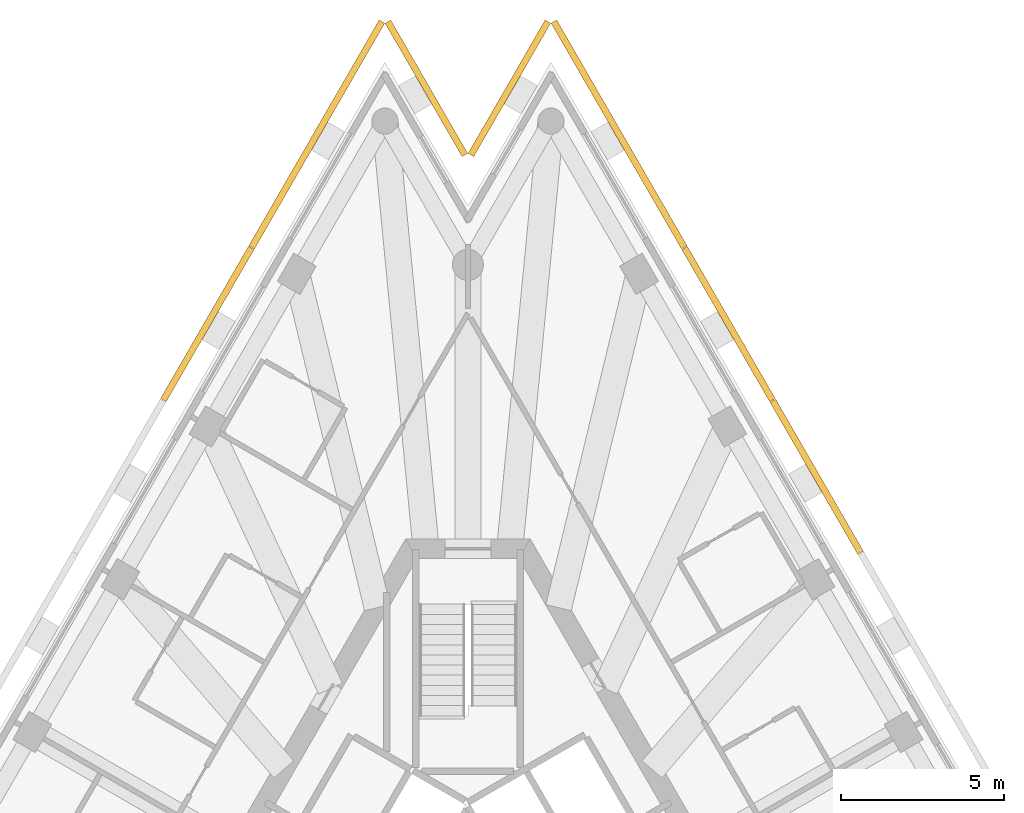
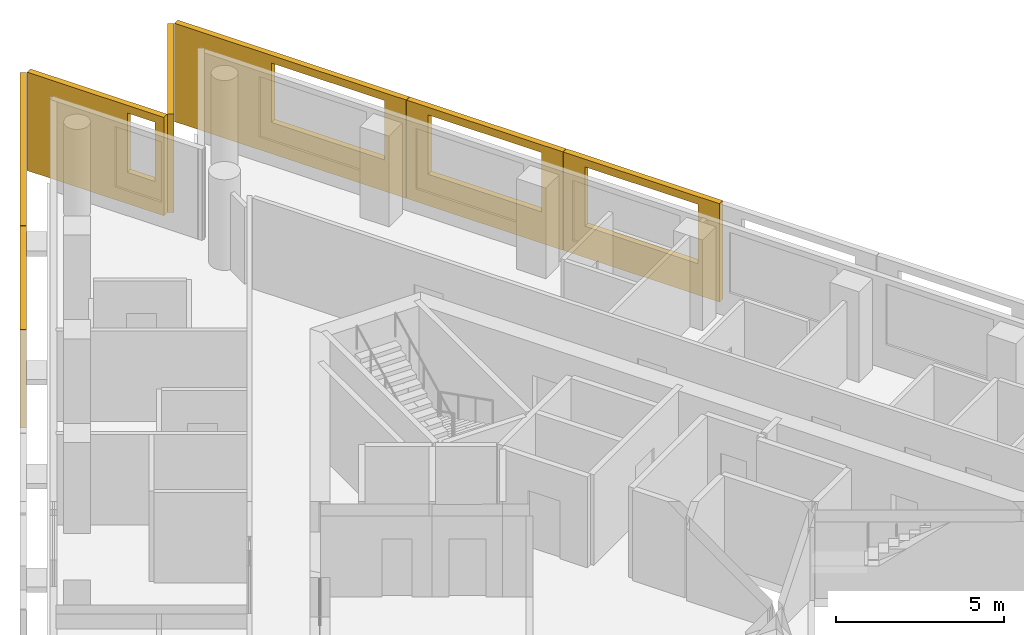
# One storey, part 10 of 10: 7 shading devices.
"""IFC4 building model written with IfcOpenShell, lengths in metres."""

from ifc_helpers import new_model, si_unit, direction, frame, origin, place, context, subcontext, project, spatial, polyline, outline, extrude, material, layer, layer_set, type_object, element, save


model = new_model("IFC4")

# Units and contexts
model_context = context("Model", 3, precision=1e-05, world=origin(), true_north=direction((0.0, 1.0)))
body_context = subcontext(model_context, "Body", "Model", "MODEL_VIEW")
ifc_project = project(units=[si_unit("LENGTHUNIT", "METRE"), si_unit("AREAUNIT", "SQUARE_METRE"), si_unit("VOLUMEUNIT", "CUBIC_METRE"), si_unit("PLANEANGLEUNIT", "RADIAN"), si_unit("MASSUNIT", "GRAM", prefix="KILO")], contexts=[model_context])

# Site, building, storey
site_placement = place(None, origin())
site = spatial("IfcSite", under=ifc_project, at=site_placement, CompositionType="ELEMENT")
building_placement = place(site_placement, origin())
building = spatial("IfcBuilding", under=site, at=building_placement, Name="Triada Interchange Tower", CompositionType="ELEMENT")
storey_placement = place(building_placement, frame((0.0, 0.0, 297.10009765625)))
storey = spatial("IfcBuildingStorey", under=building, at=storey_placement, Name="L70", CompositionType="ELEMENT", Elevation=297.10009765625)

# Shading devices
ifc_material = material(Name="Concrete C50/60 precast", Category="concrete")
ifc_layer_1 = layer(ifc_material, 0.02001953125, Name="Exposed aggregate face")
ifc_layer_2 = layer(ifc_material, 0.179931640625, Name="Precast concrete screen")
ifc_layer_set = layer_set([ifc_layer_1, ifc_layer_2], Name="Outer skin screen panel 3580")
shading_device_type = type_object("IfcShadingDeviceType", Name="Outer skin screen panel 3580", PredefinedType="SHUTTER", material=ifc_layer_set)
shading_device_1_placement = place(storey_placement, frame((-2.5439453125, 29.373046875, -0.2900390625), z_axis=(0.0, 0.0, 1.0), x_axis=(-0.50000256641, -0.866023922062, 0.0)))
element("IfcShadingDevice", 1, at=shading_device_1_placement, inside=storey, type_object=shading_device_type, Name="Outer skin screen panel L70 01", PredefinedType="SHUTTER", context=body_context, shape_type="SweptSolid", body=[
    extrude(outline(polyline([(0.0, 0.0), (7.97216796875, 0.0), (7.97216796875, 3.579833984375), (0.0, 3.579833984375), (0.0, 0.0)]), holes=[polyline([(3.335693359375, 1.139892578125), (3.335693359375, 3.300048828125), (7.235595703125, 3.300048828125), (7.235595703125, 1.139892578125), (3.335693359375, 1.139892578125)])]), frame((0.0, 0.0, 0.0), z_axis=(0.0, -1.0, 0.0), x_axis=(1.0, 0.0, 0.0)), (0.0, 0.0, 1.0), 0.199951171875),
])
shading_device_2_placement = place(storey_placement, frame((-6.5400390625, 22.451904296875, -0.2900390625), z_axis=(0.0, 0.0, 1.0), x_axis=(-0.500076296064, -0.86598134975, 0.0)))
element("IfcShadingDevice", 2, at=shading_device_2_placement, inside=storey, type_object=shading_device_type, Name="Outer skin screen panel L70 02", PredefinedType="SHUTTER", context=body_context, shape_type="SweptSolid", body=[
    extrude(outline(polyline([(0.0, 0.0), (5.375244140625, 0.0), (5.375244140625, 3.579833984375), (0.0, 3.579833984375), (0.0, 0.0)]), holes=[polyline([(0.737060546875, 1.139892578125), (0.737060546875, 3.300048828125), (4.636962890625, 3.300048828125), (4.636962890625, 1.139892578125), (0.737060546875, 1.139892578125)])]), frame((0.0, 0.0, 0.0), z_axis=(0.0, -1.0, 0.0), x_axis=(1.0, 0.0, 0.0)), (0.0, 0.0, 1.0), 0.199951171875),
])
shading_device_3_placement = place(storey_placement, frame((11.925048828125, 13.125, -0.2900390625), z_axis=(0.0, 0.0, 1.0), x_axis=(-0.499920363698, 0.866071376943, 0.0)))
element("IfcShadingDevice", 3, at=shading_device_3_placement, inside=storey, type_object=shading_device_type, Name="Outer skin screen panel L70 26", PredefinedType="SHUTTER", context=body_context, shape_type="SweptSolid", body=[
    extrude(outline(polyline([(0.0, 0.0), (5.375, 0.0), (5.375, 3.579833984375), (0.0, 3.579833984375), (0.0, 0.0)]), holes=[polyline([(0.73681640625, 1.139892578125), (0.73681640625, 3.300048828125), (4.63671875, 3.300048828125), (4.63671875, 1.139892578125), (0.73681640625, 1.139892578125)])]), frame((0.0, 0.0, 0.0), z_axis=(0.0, -1.0, 0.0), x_axis=(1.0, 0.0, 0.0)), (0.0, 0.0, 1.0), 0.199951171875),
])
shading_device_4_placement = place(storey_placement, frame((9.22802734375, 17.797119140625, -0.2900390625), z_axis=(0.0, 0.0, 1.0), x_axis=(-0.500076296064, 0.86598134975, 0.0)))
element("IfcShadingDevice", 4, at=shading_device_4_placement, inside=storey, type_object=shading_device_type, Name="Outer skin screen panel L70 27", PredefinedType="SHUTTER", context=body_context, shape_type="SweptSolid", body=[
    extrude(outline(polyline([(0.0, 0.0), (5.375244140625, 0.0), (5.375244140625, 3.579833984375), (0.0, 3.579833984375), (0.0, 0.0)]), holes=[polyline([(0.7373046875, 1.139892578125), (0.7373046875, 3.300048828125), (4.637451171875, 3.300048828125), (4.637451171875, 1.139892578125), (0.7373046875, 1.139892578125)])]), frame((0.0, 0.0, 0.0), z_axis=(0.0, -1.0, 0.0), x_axis=(1.0, 0.0, 0.0)), (0.0, 0.0, 1.0), 0.199951171875),
])
shading_device_5_placement = place(storey_placement, frame((6.530029296875, 22.468994140625, -0.2900390625), z_axis=(0.0, 0.0, 1.0), x_axis=(-0.50000256641, 0.866023922062, 0.0)))
element("IfcShadingDevice", 5, at=shading_device_5_placement, inside=storey, type_object=shading_device_type, Name="Outer skin screen panel L70 28", PredefinedType="SHUTTER", context=body_context, shape_type="SweptSolid", body=[
    extrude(outline(polyline([(0.0, 0.0), (7.97216796875, 0.0), (7.97216796875, 3.579833984375), (0.0, 3.579833984375), (0.0, 0.0)]), holes=[polyline([(0.73681640625, 1.139892578125), (0.73681640625, 3.300048828125), (4.636962890625, 3.300048828125), (4.636962890625, 1.139892578125), (0.73681640625, 1.139892578125)])]), frame((0.0, 0.0, 0.0), z_axis=(0.0, -1.0, 0.0), x_axis=(1.0, 0.0, 0.0)), (0.0, 0.0, 1.0), 0.199951171875),
])
shading_device_6_placement = place(storey_placement, frame((2.533935546875, 29.373046875, -0.2900390625), z_axis=(0.0, 0.0, 1.0), x_axis=(-0.499961643653, -0.866047547699, 0.0)))
element("IfcShadingDevice", 6, at=shading_device_6_placement, inside=storey, type_object=shading_device_type, Name="Outer skin screen panel L70 29", PredefinedType="SHUTTER", context=body_context, shape_type="SweptSolid", body=[
    extrude(outline(polyline([(0.0, 0.0), (4.712158203125, 0.0), (4.712158203125, 3.579833984375), (0.0, 3.579833984375), (0.0, 0.0)]), holes=[polyline([(3.17578125, 1.139892578125), (3.17578125, 3.300048828125), (4.41259765625, 3.300048828125), (4.41259765625, 1.139892578125), (3.17578125, 1.139892578125)])]), frame((0.0, 0.0, 0.0), z_axis=(0.0, -1.0, 0.0), x_axis=(1.0, 0.0, 0.0)), (0.0, 0.0, 1.0), 0.199951171875),
])
shading_device_7_placement = place(storey_placement, frame((-0.177978515625, 25.2919921875, -0.2900390625), z_axis=(0.0, 0.0, 1.0), x_axis=(-0.499961643653, 0.866047547699, 0.0)))
element("IfcShadingDevice", 7, at=shading_device_7_placement, inside=storey, type_object=shading_device_type, Name="Outer skin screen panel L70 30", PredefinedType="SHUTTER", context=body_context, shape_type="SweptSolid", body=[
    extrude(outline(polyline([(0.0, 0.0), (4.712158203125, 0.0), (4.712158203125, 3.579833984375), (0.0, 3.579833984375), (0.0, 0.0)]), holes=[polyline([(0.300048828125, 1.139892578125), (0.300048828125, 3.300048828125), (1.2578125, 3.300048828125), (1.2578125, 1.139892578125), (0.300048828125, 1.139892578125)])]), frame((0.0, 0.0, 0.0), z_axis=(0.0, -1.0, 0.0), x_axis=(1.0, 0.0, 0.0)), (0.0, 0.0, 1.0), 0.199951171875),
])

save(model, "model.ifc")
